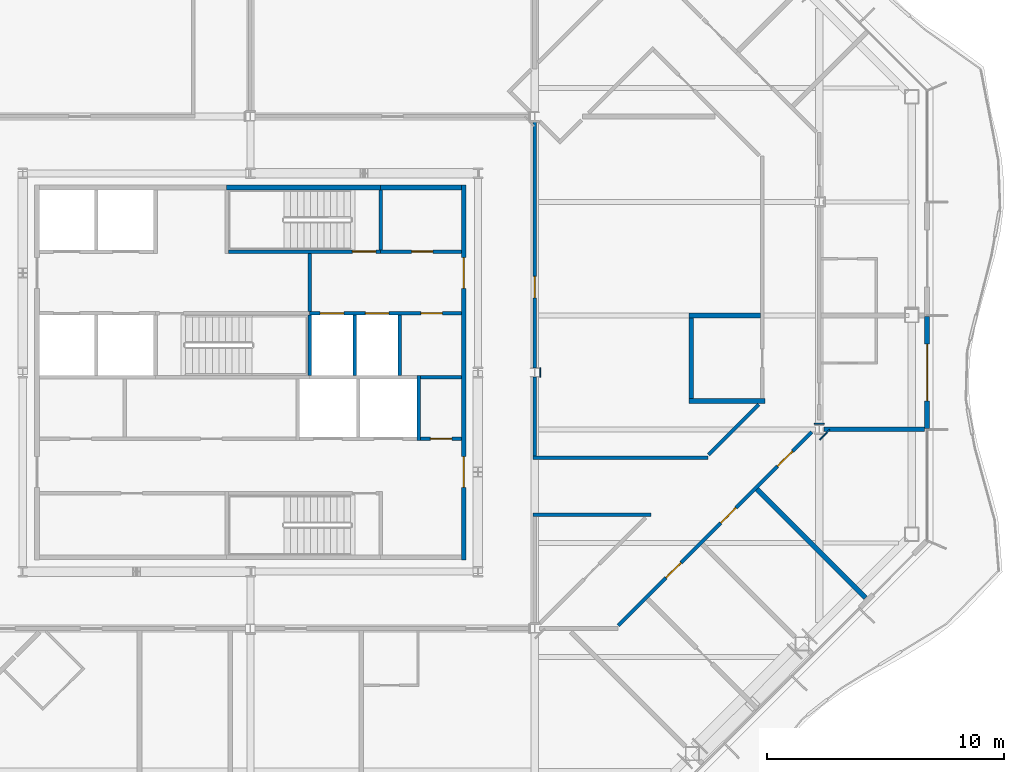
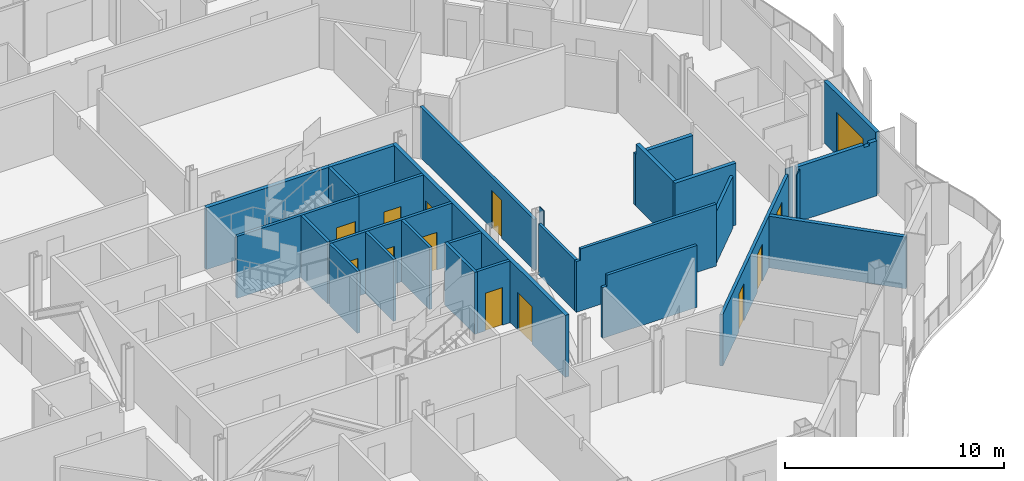
# One storey, part 10 of 21: 29 walls, 13 doors, 13 openings.
"""IFC4 building model written with IfcOpenShell, lengths in metres."""

from ifc_helpers import new_model, si_unit, direction, frame, frame_2d, origin, place, context, subcontext, project, spatial, polyline, rectangle, outline, extrude, material, layer, layer_set, type_object, element, fill, save


model = new_model("IFC4")

# Units and contexts
model_context = context("Model", 3, precision=1e-05, world=origin(), true_north=direction((0.0, 1.0)))
body_context = subcontext(model_context, "Body", "Model", "MODEL_VIEW")
ifc_project = project(units=[si_unit("LENGTHUNIT", "METRE"), si_unit("AREAUNIT", "SQUARE_METRE"), si_unit("VOLUMEUNIT", "CUBIC_METRE"), si_unit("PLANEANGLEUNIT", "RADIAN"), si_unit("MASSUNIT", "GRAM", prefix="KILO")], contexts=[model_context])

# Site, building, storey
site_placement = place(None, origin())
site = spatial("IfcSite", under=ifc_project, at=site_placement, CompositionType="ELEMENT")
building_placement = place(site_placement, origin())
building = spatial("IfcBuilding", under=site, at=building_placement, Name="Cairn Pilgrim Tower", CompositionType="ELEMENT")
storey_placement = place(building_placement, frame((0.0, 0.0, 168.60009765625)))
storey = spatial("IfcBuildingStorey", under=building, at=storey_placement, Name="L42", CompositionType="ELEMENT", Elevation=168.60009765625)

# Wall, opening, door
ifc_material_1 = material(Name="Bronze anodised aluminium insulated sandwich panel with mineral wool fill", Category="aluminium")
ifc_layer_1 = layer(ifc_material_1, 0.199951171875)
ifc_layer_set_1 = layer_set([ifc_layer_1], Name="BRONZE INFILL FRAME WALL 200")
wall_type_1 = type_object("IfcWallType", Name="BRONZE INFILL FRAME WALL 200", PredefinedType="NOTDEFINED", material=ifc_layer_set_1)
wall_1_placement = place(storey_placement, frame((35.75, 0.030029296875, 0.0), z_axis=(0.0, 0.0, 1.0), x_axis=(0.0, 1.0, 0.0)))
wall_1 = element("IfcWall", 1, at=wall_1_placement, inside=storey, type_object=wall_type_1, Name="Bronze infill frame wall IW-E2", PredefinedType="NOTDEFINED", context=body_context, shape_type="SweptSolid", body=[
    extrude(rectangle(XDim=4.739990234375, YDim=0.199951171875, at=frame_2d((2.3701171875, 0.0))), origin(), (0.0, 0.0, 1.0), 3.449951171875),
])
opening_1_placement = place(wall_1_placement, frame((1.169921875, 0.0, 0.0)))
opening_1 = element("IfcOpeningElement", 2, at=opening_1_placement, cuts=wall_1, Name="Opening 4207B", PredefinedType="OPENING", context=body_context, shape_type="SweptSolid", body=[
    extrude(rectangle(XDim=2.39990234375, YDim=2.39990234375, at=frame_2d((1.199951171875, 1.199951171875))), frame((0.0, 0.10986328125, 0.0), z_axis=(0.0, -1.0, 0.0), x_axis=(1.0, 0.0, 0.0)), (0.0, 0.0, 1.0), 0.219970703125),
])
ifc_material_2 = material(Name="Bronze anodised aluminium frame with tinted low-E glass", Category="aluminium")
door_type_1 = type_object("IfcDoorType", Name="BALCONY SLIDING DOOR 2400x2400", OperationType="DOUBLE_DOOR_SLIDING", PredefinedType="DOOR", material=ifc_material_2)
door_1_placement = place(opening_1_placement, origin())
door_1 = element("IfcDoor", 3, at=door_1_placement, inside=storey, type_object=door_type_1, Name="Balcony sliding door 4207B", OperationType="SINGLE_SWING_LEFT", OverallHeight=2.39990234375, OverallWidth=2.39990234375, PredefinedType="DOOR", context=body_context, shape_type="SweptSolid", body=[
    extrude(rectangle(XDim=2.39990234375, YDim=2.39990234375, at=frame_2d((1.199951171875, 1.199951171875))), frame((0.0, 0.02490234375, 0.0), z_axis=(0.0, -1.0, 0.0), x_axis=(1.0, 0.0, 0.0)), (0.0, 0.0, 1.0), 0.050048828125),
])
fill(opening_1, door_1)

# Wall
ifc_material_3 = material(Name="Concrete C32/40", Category="concrete")
ifc_layer_2 = layer(ifc_material_3, 0.199951171875)
ifc_layer_set_2 = layer_set([ifc_layer_2], Name="CORE OUTER WALL 200 EI 120")
wall_type_2 = type_object("IfcWallType", Name="CORE OUTER WALL 200 EI 120", PredefinedType="SOLIDWALL", material=ifc_layer_set_2)
wall_2_placement = place(storey_placement, frame((12.699951171875, 10.199951171875, 0.0), z_axis=(0.0, 0.0, 1.0), x_axis=(1.0, 0.0, 0.0)))
element("IfcWall", 4, at=wall_2_placement, inside=storey, type_object=wall_type_2, Name="CW:L42:H12-3", PredefinedType="SOLIDWALL", context=body_context, shape_type="SweptSolid", body=[
    extrude(rectangle(XDim=3.400146484375, YDim=0.199951171875, at=frame_2d((1.7001953125, 0.0))), origin(), (0.0, 0.0, 1.0), 3.449951171875),
])

# Wall, openings, doors
wall_3_placement = place(storey_placement, frame((16.199951171875, -5.5, 0.0), z_axis=(0.0, 0.0, 1.0), x_axis=(0.0, 1.0, 0.0)))
wall_3 = element("IfcWall", 5, at=wall_3_placement, inside=storey, type_object=wall_type_2, Name="CW:L42:V30", PredefinedType="SOLIDWALL", context=body_context, shape_type="SweptSolid", body=[
    extrude(rectangle(XDim=15.800048828125, YDim=0.199951171875, at=frame_2d((7.89990234375, 0.0))), origin(), (0.0, 0.0, 1.0), 3.449951171875),
])
opening_2_placement = place(wall_3_placement, frame((3.050048828125, 0.0, 0.0)))
opening_2 = element("IfcOpeningElement", 6, at=opening_2_placement, cuts=wall_3, Name="Opening CD-E1", PredefinedType="OPENING", context=body_context, shape_type="SweptSolid", body=[
    extrude(rectangle(XDim=1.300048828125, YDim=2.10009765625, at=frame_2d((0.64990234375, 1.050048828125))), frame((0.0, 0.10986328125, 0.0), z_axis=(0.0, -1.0, 0.0), x_axis=(1.0, 0.0, 0.0)), (0.0, 0.0, 1.0), 0.219970703125),
])
opening_3_placement = place(wall_3_placement, frame((11.449951171875, 0.0, 0.0)))
opening_3 = element("IfcOpeningElement", 7, at=opening_3_placement, cuts=wall_3, Name="Opening CD-E2", PredefinedType="OPENING", context=body_context, shape_type="SweptSolid", body=[
    extrude(rectangle(XDim=1.300048828125, YDim=2.10009765625, at=frame_2d((0.64990234375, 1.050048828125))), frame((0.0, 0.10986328125, 0.0), z_axis=(0.0, -1.0, 0.0), x_axis=(1.0, 0.0, 0.0)), (0.0, 0.0, 1.0), 0.219970703125),
])
ifc_material_4 = material(Name="Painted steel", Category="steel")
door_type_2 = type_object("IfcDoorType", Name="CORE LOBBY DOOR 1300x2100", OperationType="DOUBLE_DOOR_SINGLE_SWING", PredefinedType="DOOR", material=ifc_material_4)
door_2_placement = place(opening_2_placement, origin())
door_2 = element("IfcDoor", 8, at=door_2_placement, inside=storey, type_object=door_type_2, Name="CD-E1", OperationType="DOUBLE_DOOR_SINGLE_SWING", OverallHeight=2.10009765625, OverallWidth=1.300048828125, PredefinedType="DOOR", context=body_context, shape_type="SweptSolid", body=[
    extrude(rectangle(XDim=1.300048828125, YDim=2.10009765625, at=frame_2d((0.64990234375, 1.050048828125))), frame((0.0, 0.02490234375, 0.0), z_axis=(0.0, -1.0, 0.0), x_axis=(1.0, 0.0, 0.0)), (0.0, 0.0, 1.0), 0.050048828125),
])
fill(opening_2, door_2)
door_3_placement = place(opening_3_placement, origin())
door_3 = element("IfcDoor", 9, at=door_3_placement, inside=storey, type_object=door_type_2, Name="CD-E2", OperationType="DOUBLE_DOOR_SINGLE_SWING", OverallHeight=2.10009765625, OverallWidth=1.300048828125, PredefinedType="DOOR", context=body_context, shape_type="SweptSolid", body=[
    extrude(rectangle(XDim=1.300048828125, YDim=2.10009765625, at=frame_2d((0.64990234375, 1.050048828125))), frame((0.0, 0.02490234375, 0.0), z_axis=(0.0, -1.0, 0.0), x_axis=(1.0, 0.0, 0.0)), (0.0, 0.0, 1.0), 0.050048828125),
])
fill(opening_3, door_3)

# Wall, opening, door
ifc_layer_3 = layer(ifc_material_3, 0.14990234375)
ifc_layer_set_3 = layer_set([ifc_layer_3], Name="CORE PARTITION 150 EI 60")
wall_type_3 = type_object("IfcWallType", Name="CORE PARTITION 150 EI 60", PredefinedType="PARTITIONING", material=ifc_layer_set_3)
wall_4_placement = place(storey_placement, frame((14.375, -0.39990234375, 0.0), z_axis=(0.0, 0.0, 1.0), x_axis=(1.0, 0.0, 0.0)))
wall_4 = element("IfcWall", 10, at=wall_4_placement, inside=storey, type_object=wall_type_3, Name="CW:L42:H06", PredefinedType="PARTITIONING", context=body_context, shape_type="SweptSolid", body=[
    extrude(rectangle(XDim=1.72509765625, YDim=0.14990234375, at=frame_2d((0.862548828125, 0.0))), origin(), (0.0, 0.0, 1.0), 3.449951171875),
])
opening_4_placement = place(wall_4_placement, frame((0.425048828125, 0.0, 0.0)))
opening_4 = element("IfcOpeningElement", 11, at=opening_4_placement, cuts=wall_4, Name="Opening RD-R2E", PredefinedType="OPENING", context=body_context, shape_type="SweptSolid", body=[
    extrude(rectangle(XDim=0.89990234375, YDim=2.10009765625, at=frame_2d((0.449951171875, 1.050048828125))), frame((0.0, 0.0849609375, 0.0), z_axis=(0.0, -1.0, 0.0), x_axis=(1.0, 0.0, 0.0)), (0.0, 0.0, 1.0), 0.169921875),
])
door_type_3 = type_object("IfcDoorType", Name="SERVICE ROOM DOOR 900x2100", OperationType="SINGLE_SWING_LEFT", PredefinedType="DOOR", material=ifc_material_4)
door_4_placement = place(opening_4_placement, origin())
door_4 = element("IfcDoor", 12, at=door_4_placement, inside=storey, type_object=door_type_3, Name="RD-R2E", OperationType="SINGLE_SWING_RIGHT", OverallHeight=2.10009765625, OverallWidth=0.89990234375, PredefinedType="DOOR", context=body_context, shape_type="SweptSolid", body=[
    extrude(rectangle(XDim=0.89990234375, YDim=2.10009765625, at=frame_2d((0.449951171875, 1.050048828125))), frame((0.0, 0.02490234375, 0.0), z_axis=(0.0, -1.0, 0.0), x_axis=(1.0, 0.0, 0.0)), (0.0, 0.0, 1.0), 0.050048828125),
])
fill(opening_4, door_4)

# Wall
wall_5_placement = place(storey_placement, frame((14.375, 2.199951171875, 0.0), z_axis=(0.0, 0.0, 1.0), x_axis=(1.0, 0.0, 0.0)))
element("IfcWall", 13, at=wall_5_placement, inside=storey, type_object=wall_type_3, Name="CW:L42:H08", PredefinedType="PARTITIONING", context=body_context, shape_type="SweptSolid", body=[
    extrude(rectangle(XDim=1.72509765625, YDim=0.14990234375, at=frame_2d((0.862548828125, 0.0))), origin(), (0.0, 0.0, 1.0), 3.449951171875),
])

# Wall, openings, doors
ifc_layer_4 = layer(ifc_material_3, 0.14990234375)
ifc_layer_set_4 = layer_set([ifc_layer_4], Name="CORE SHAFT WALL 150 EI 120")
wall_type_4 = type_object("IfcWallType", Name="CORE SHAFT WALL 150 EI 120", PredefinedType="SOLIDWALL", material=ifc_layer_set_4)
wall_6_placement = place(storey_placement, frame((9.699951171875, 4.89990234375, 0.0), z_axis=(0.0, 0.0, 1.0), x_axis=(1.0, 0.0, 0.0)))
wall_6 = element("IfcWall", 14, at=wall_6_placement, inside=storey, type_object=wall_type_4, Name="CW:L42:H09-3", PredefinedType="SOLIDWALL", context=body_context, shape_type="SweptSolid", body=[
    extrude(rectangle(XDim=6.400146484375, YDim=0.14990234375, at=frame_2d((3.2001953125, 0.0))), origin(), (0.0, 0.0, 1.0), 3.449951171875),
])
opening_5_placement = place(wall_6_placement, frame((0.449951171875, 0.0, 0.0)))
opening_5 = element("IfcOpeningElement", 15, at=opening_5_placement, cuts=wall_6, Name="Opening LD-FF1", PredefinedType="OPENING", context=body_context, shape_type="SweptSolid", body=[
    extrude(rectangle(XDim=1.0, YDim=2.10009765625, at=frame_2d((0.5, 1.050048828125))), frame((0.0, 0.0849609375, 0.0), z_axis=(0.0, -1.0, 0.0), x_axis=(1.0, 0.0, 0.0)), (0.0, 0.0, 1.0), 0.169921875),
])
opening_6_placement = place(wall_6_placement, frame((2.35009765625, 0.0, 0.0)))
opening_6 = element("IfcOpeningElement", 16, at=opening_6_placement, cuts=wall_6, Name="Opening LD-FF2", PredefinedType="OPENING", context=body_context, shape_type="SweptSolid", body=[
    extrude(rectangle(XDim=1.0, YDim=2.10009765625, at=frame_2d((0.5, 1.050048828125))), frame((0.0, 0.0849609375, 0.0), z_axis=(0.0, -1.0, 0.0), x_axis=(1.0, 0.0, 0.0)), (0.0, 0.0, 1.0), 0.169921875),
])
opening_7_placement = place(wall_6_placement, frame((4.699951171875, 0.0, 0.0)))
opening_7 = element("IfcOpeningElement", 17, at=opening_7_placement, cuts=wall_6, Name="Opening RD-R3E", PredefinedType="OPENING", context=body_context, shape_type="SweptSolid", body=[
    extrude(rectangle(XDim=0.89990234375, YDim=2.10009765625, at=frame_2d((0.449951171875, 1.050048828125))), frame((0.0, 0.0849609375, 0.0), z_axis=(0.0, -1.0, 0.0), x_axis=(1.0, 0.0, 0.0)), (0.0, 0.0, 1.0), 0.169921875),
])
ifc_material_5 = material(Name="Stainless steel", Category="steel")
door_type_4 = type_object("IfcDoorType", Name="LIFT LANDING DOOR FIRE 1000x2100", OperationType="DOUBLE_DOOR_SLIDING", PredefinedType="DOOR", material=ifc_material_5)
door_5_placement = place(opening_5_placement, origin())
door_5 = element("IfcDoor", 18, at=door_5_placement, inside=storey, type_object=door_type_4, Name="LANDING DOOR FF1", OperationType="DOUBLE_DOOR_SLIDING", OverallHeight=2.10009765625, OverallWidth=1.0, PredefinedType="DOOR", context=body_context, shape_type="SweptSolid", body=[
    extrude(rectangle(XDim=1.0, YDim=2.10009765625, at=frame_2d((0.5, 1.050048828125))), frame((0.0, 0.02490234375, 0.0), z_axis=(0.0, -1.0, 0.0), x_axis=(1.0, 0.0, 0.0)), (0.0, 0.0, 1.0), 0.050048828125),
])
fill(opening_5, door_5)
door_6_placement = place(opening_6_placement, origin())
door_6 = element("IfcDoor", 19, at=door_6_placement, inside=storey, type_object=door_type_4, Name="LANDING DOOR FF2", OperationType="DOUBLE_DOOR_SLIDING", OverallHeight=2.10009765625, OverallWidth=1.0, PredefinedType="DOOR", context=body_context, shape_type="SweptSolid", body=[
    extrude(rectangle(XDim=1.0, YDim=2.10009765625, at=frame_2d((0.5, 1.050048828125))), frame((0.0, 0.02490234375, 0.0), z_axis=(0.0, -1.0, 0.0), x_axis=(1.0, 0.0, 0.0)), (0.0, 0.0, 1.0), 0.050048828125),
])
fill(opening_6, door_6)
door_7_placement = place(opening_7_placement, origin())
door_7 = element("IfcDoor", 20, at=door_7_placement, inside=storey, type_object=door_type_3, Name="RD-R3E", OperationType="SINGLE_SWING_LEFT", OverallHeight=2.10009765625, OverallWidth=0.89990234375, PredefinedType="DOOR", context=body_context, shape_type="SweptSolid", body=[
    extrude(rectangle(XDim=0.89990234375, YDim=2.10009765625, at=frame_2d((0.449951171875, 1.050048828125))), frame((0.0, 0.02490234375, 0.0), z_axis=(0.0, -1.0, 0.0), x_axis=(1.0, 0.0, 0.0)), (0.0, 0.0, 1.0), 0.050048828125),
])
fill(opening_7, door_7)

# Wall, opening, door
wall_7_placement = place(storey_placement, frame((12.699951171875, 7.5, 0.0), z_axis=(0.0, 0.0, 1.0), x_axis=(1.0, 0.0, 0.0)))
wall_7 = element("IfcWall", 21, at=wall_7_placement, inside=storey, type_object=wall_type_4, Name="CW:L42:H11-2", PredefinedType="SOLIDWALL", context=body_context, shape_type="SweptSolid", body=[
    extrude(rectangle(XDim=3.400146484375, YDim=0.14990234375, at=frame_2d((1.7001953125, 0.0))), origin(), (0.0, 0.0, 1.0), 3.449951171875),
])
opening_8_placement = place(wall_7_placement, frame((1.300048828125, 0.0, 0.0)))
opening_8 = element("IfcOpeningElement", 22, at=opening_8_placement, cuts=wall_7, Name="Opening RD-R4E", PredefinedType="OPENING", context=body_context, shape_type="SweptSolid", body=[
    extrude(rectangle(XDim=0.89990234375, YDim=2.10009765625, at=frame_2d((0.449951171875, 1.050048828125))), frame((0.0, 0.0849609375, 0.0), z_axis=(0.0, -1.0, 0.0), x_axis=(1.0, 0.0, 0.0)), (0.0, 0.0, 1.0), 0.169921875),
])
door_8_placement = place(opening_8_placement, origin())
door_8 = element("IfcDoor", 23, at=door_8_placement, inside=storey, type_object=door_type_3, Name="RD-R4E", OperationType="SINGLE_SWING_RIGHT", OverallHeight=2.10009765625, OverallWidth=0.89990234375, PredefinedType="DOOR", context=body_context, shape_type="SweptSolid", body=[
    extrude(rectangle(XDim=0.89990234375, YDim=2.10009765625, at=frame_2d((0.449951171875, 1.050048828125))), frame((0.0, 0.02490234375, 0.0), z_axis=(0.0, -1.0, 0.0), x_axis=(1.0, 0.0, 0.0)), (0.0, 0.0, 1.0), 0.050048828125),
])
fill(opening_8, door_8)

# Walls
wall_8_placement = place(storey_placement, frame((9.699951171875, 4.97509765625, 0.0), z_axis=(0.0, 0.0, 1.0), x_axis=(0.0, 1.0, 0.0)))
element("IfcWall", 24, at=wall_8_placement, inside=storey, type_object=wall_type_4, Name="CW:L42:V23", PredefinedType="SOLIDWALL", context=body_context, shape_type="SweptSolid", body=[
    extrude(rectangle(XDim=2.449951171875, YDim=0.14990234375, at=frame_2d((1.22509765625, 0.0))), origin(), (0.0, 0.0, 1.0), 3.449951171875),
])
for number, where, z_axis, x_axis, name in (
    (25, (11.60009765625, 2.27490234375, 0.0), (0.0, 0.0, 1.0), (0.0, 1.0, 0.0), "CW:L42:V24"),
    (26, (13.5, 2.27490234375, 0.0), (0.0, 0.0, 1.0), (0.0, 1.0, 0.0), "CW:L42:V28"),
):
    element("IfcWall", number, at=place(storey_placement, frame(where, z_axis=z_axis, x_axis=x_axis)), inside=storey, type_object=wall_type_4, Name=name, PredefinedType="SOLIDWALL", context=body_context, shape_type="SweptSolid", body=[
        extrude(rectangle(XDim=2.550048828125, YDim=0.14990234375, at=frame_2d((1.27490234375, 0.0))), origin(), (0.0, 0.0, 1.0), 3.449951171875),
    ])
wall_9_placement = place(storey_placement, frame((14.300048828125, -0.47509765625, 0.0), z_axis=(0.0, 0.0, 1.0), x_axis=(0.0, 1.0, 0.0)))
element("IfcWall", 27, at=wall_9_placement, inside=storey, type_object=wall_type_4, Name="CW:L42:V29", PredefinedType="SOLIDWALL", context=body_context, shape_type="SweptSolid", body=[
    extrude(rectangle(XDim=2.75, YDim=0.14990234375, at=frame_2d((1.375, 0.0))), origin(), (0.0, 0.0, 1.0), 3.449951171875),
])

# Wall, openings, doors
ifc_material_6 = material(Name="Gypsum partition")
ifc_layer_5 = layer(ifc_material_6, 0.14990234375)
ifc_layer_set_5 = layer_set([ifc_layer_5], Name="PARTITION 150 DRYWALL EI 60")
wall_type_5 = type_object("IfcWallType", Name="PARTITION 150 DRYWALL EI 60", PredefinedType="PARTITIONING", material=ifc_layer_set_5)
wall_10_placement = place(storey_placement, frame((22.721923828125, -8.27197265625, 0.0), z_axis=(0.0, 0.0, 1.0), x_axis=(0.707106781187, 0.707106781187, 0.0)))
wall_10 = element("IfcWall", 28, at=wall_10_placement, inside=storey, type_object=wall_type_5, Name="PARTITION W027", PredefinedType="PARTITIONING", context=body_context, shape_type="SweptSolid", body=[
    extrude(rectangle(XDim=11.549072265625, YDim=0.14990234375, at=frame_2d((5.7744140625, 0.0))), origin(), (0.0, 0.0, 1.0), 2.8798828125),
])
opening_9_placement = place(wall_10_placement, frame((2.846435546875, 0.0, 0.0)))
opening_9 = element("IfcOpeningElement", 29, at=opening_9_placement, cuts=wall_10, Name="Opening 4204", PredefinedType="OPENING", context=body_context, shape_type="SweptSolid", body=[
    extrude(rectangle(XDim=0.89990234375, YDim=2.10009765625, at=frame_2d((0.449951171875, 1.050048828125))), frame((0.0, 0.0849609375, 0.0), z_axis=(0.0, -1.0, 0.0), x_axis=(1.0, 0.0, 0.0)), (0.0, 0.0, 1.0), 0.169921875),
])
opening_10_placement = place(wall_10_placement, frame((6.115966796875, 0.0, 0.0)))
opening_10 = element("IfcOpeningElement", 30, at=opening_10_placement, cuts=wall_10, Name="Opening 4205", PredefinedType="OPENING", context=body_context, shape_type="SweptSolid", body=[
    extrude(rectangle(XDim=0.89990234375, YDim=2.10009765625, at=frame_2d((0.449951171875, 1.050048828125))), frame((0.0, 0.0849609375, 0.0), z_axis=(0.0, -1.0, 0.0), x_axis=(1.0, 0.0, 0.0)), (0.0, 0.0, 1.0), 0.169921875),
])
opening_11_placement = place(wall_10_placement, frame((9.499267578125, 0.0, 0.0)))
opening_11 = element("IfcOpeningElement", 31, at=opening_11_placement, cuts=wall_10, Name="Opening 4206", PredefinedType="OPENING", context=body_context, shape_type="SweptSolid", body=[
    extrude(rectangle(XDim=0.89990234375, YDim=2.10009765625, at=frame_2d((0.449951171875, 1.050048828125))), frame((0.0, 0.0849609375, 0.0), z_axis=(0.0, -1.0, 0.0), x_axis=(1.0, 0.0, 0.0)), (0.0, 0.0, 1.0), 0.169921875),
])
ifc_material_7 = material(Name="Timber door leaf", Category="wood")
door_type_5 = type_object("IfcDoorType", Name="ROOM DOOR 900x2100 FD30S", OperationType="NOTDEFINED", PredefinedType="DOOR", material=ifc_material_7)
door_9_placement = place(opening_10_placement, frame((0.89990234375, 0.0, 0.0), z_axis=(0.0, 0.0, 1.0), x_axis=(-1.0, 0.0, 0.0)))
door_9 = element("IfcDoor", 32, at=door_9_placement, inside=storey, type_object=door_type_5, Name="DOOR 4205", OperationType="SINGLE_SWING_RIGHT", OverallHeight=2.10009765625, OverallWidth=0.89990234375, PredefinedType="DOOR", context=body_context, shape_type="SweptSolid", body=[
    extrude(rectangle(XDim=0.89990234375, YDim=2.10009765625, at=frame_2d((0.449951171875, 1.050048828125))), frame((0.0, 0.02490234375, 0.0), z_axis=(0.0, -1.0, 0.0), x_axis=(1.0, 0.0, 0.0)), (0.0, 0.0, 1.0), 0.050048828125),
])
fill(opening_10, door_9)
door_10_placement = place(opening_11_placement, frame((0.89990234375, 0.0, 0.0), z_axis=(0.0, 0.0, 1.0), x_axis=(-1.0, 0.0, 0.0)))
door_10 = element("IfcDoor", 33, at=door_10_placement, inside=storey, type_object=door_type_5, Name="DOOR 4206", OperationType="SINGLE_SWING_RIGHT", OverallHeight=2.10009765625, OverallWidth=0.89990234375, PredefinedType="DOOR", context=body_context, shape_type="SweptSolid", body=[
    extrude(rectangle(XDim=0.89990234375, YDim=2.10009765625, at=frame_2d((0.449951171875, 1.050048828125))), frame((0.0, 0.02490234375, 0.0), z_axis=(0.0, -1.0, 0.0), x_axis=(1.0, 0.0, 0.0)), (0.0, 0.0, 1.0), 0.050048828125),
])
fill(opening_11, door_10)
door_type_6 = type_object("IfcDoorType", Name="SERVICE DOOR 900x2100 FD30S", OperationType="NOTDEFINED", PredefinedType="DOOR", material=ifc_material_7)
door_11_placement = place(opening_9_placement, frame((0.89990234375, 0.0, 0.0), z_axis=(0.0, 0.0, 1.0), x_axis=(-1.0, 0.0, 0.0)))
door_11 = element("IfcDoor", 34, at=door_11_placement, inside=storey, type_object=door_type_6, Name="DOOR 4204", OperationType="SINGLE_SWING_RIGHT", OverallHeight=2.10009765625, OverallWidth=0.89990234375, PredefinedType="DOOR", context=body_context, shape_type="SweptSolid", body=[
    extrude(rectangle(XDim=0.89990234375, YDim=2.10009765625, at=frame_2d((0.449951171875, 1.050048828125))), frame((0.0, 0.02490234375, 0.0), z_axis=(0.0, -1.0, 0.0), x_axis=(1.0, 0.0, 0.0)), (0.0, 0.0, 1.0), 0.050048828125),
])
fill(opening_9, door_11)

# Walls
wall_11_placement = place(storey_placement, frame((19.125, -3.60009765625, 0.0), z_axis=(0.0, 0.0, 1.0), x_axis=(1.0, 0.0, 0.0)))
element("IfcWall", 35, at=wall_11_placement, inside=storey, type_object=wall_type_5, Name="PARTITION W035", PredefinedType="PARTITIONING", context=body_context, shape_type="SweptSolid", body=[
    extrude(outline(polyline([(0.0, 0.0), (4.981201171875, 0.0), (4.981201171875, 3.449951171875), (0.22509765625, 3.449951171875), (0.222900390625, 2.829833984375), (0.0, 2.829833984375), (0.0, 0.0)])), frame((0.0, 0.074951171875, 0.0), z_axis=(0.0, -1.0, 0.0), x_axis=(1.0, 0.0, 0.0)), (0.0, 0.0, 1.0), 0.14990234375),
])
wall_12_placement = place(storey_placement, frame((19.125, -1.199951171875, 0.0), z_axis=(0.0, 0.0, 1.0), x_axis=(1.0, 0.0, 0.0)))
element("IfcWall", 36, at=wall_12_placement, inside=storey, type_object=wall_type_5, Name="PARTITION W037", PredefinedType="PARTITIONING", context=body_context, shape_type="SweptSolid", body=[
    extrude(outline(polyline([(0.0, 0.0), (7.381103515625, 0.0), (7.381103515625, 3.449951171875), (0.22509765625, 3.449951171875), (0.222900390625, 2.829833984375), (0.0, 2.829833984375), (0.0, 0.0)])), frame((0.0, 0.074951171875, 0.0), z_axis=(0.0, -1.0, 0.0), x_axis=(1.0, 0.0, 0.0)), (0.0, 0.0, 1.0), 0.14990234375),
])
wall_13_placement = place(storey_placement, frame((19.199951171875, -1.125, 0.0), z_axis=(0.0, 0.0, 1.0), x_axis=(0.0, 1.0, 0.0)))
element("IfcWall", 37, at=wall_13_placement, inside=storey, type_object=wall_type_5, Name="PARTITION W041", PredefinedType="PARTITIONING", context=body_context, shape_type="SweptSolid", body=[
    extrude(rectangle(XDim=3.32861328125, YDim=0.14990234375, at=frame_2d((1.664306640625, 0.0))), origin(), (0.0, 0.0, 1.0), 2.829833984375),
])
wall_14_placement = place(storey_placement, frame((26.528076171875, -1.072021484375, 0.0), z_axis=(0.0, 0.0, 1.0), x_axis=(0.707106781187, 0.707106781187, 0.0)))
element("IfcWall", 38, at=wall_14_placement, inside=storey, type_object=wall_type_5, Name="PARTITION W042", PredefinedType="PARTITIONING", context=body_context, shape_type="SweptSolid", body=[
    extrude(rectangle(XDim=2.99658203125, YDim=0.14990234375, at=frame_2d((1.498291015625, 0.0))), origin(), (0.0, 0.0, 1.0), 2.8798828125),
])

# Wall, opening, door
wall_15_placement = place(storey_placement, frame((19.199951171875, 2.596435546875, 0.0), z_axis=(0.0, 0.0, 1.0), x_axis=(0.0, 1.0, 0.0)))
wall_15 = element("IfcWall", 39, at=wall_15_placement, inside=storey, type_object=wall_type_5, Name="PARTITION W055", PredefinedType="PARTITIONING", context=body_context, shape_type="SweptSolid", body=[
    extrude(rectangle(XDim=10.406982421875, YDim=0.14990234375, at=frame_2d((5.20361328125, 0.0))), origin(), (0.0, 0.0, 1.0), 2.829833984375),
])
opening_12_placement = place(wall_15_placement, frame((2.95361328125, 0.0, 0.0)))
opening_12 = element("IfcOpeningElement", 40, at=opening_12_placement, cuts=wall_15, Name="Opening 4228", PredefinedType="OPENING", context=body_context, shape_type="SweptSolid", body=[
    extrude(rectangle(XDim=0.89990234375, YDim=2.10009765625, at=frame_2d((0.449951171875, 1.050048828125))), frame((0.0, 0.0849609375, 0.0), z_axis=(0.0, -1.0, 0.0), x_axis=(1.0, 0.0, 0.0)), (0.0, 0.0, 1.0), 0.169921875),
])
door_12_placement = place(opening_12_placement, frame((0.89990234375, 0.0, 0.0), z_axis=(0.0, 0.0, 1.0), x_axis=(-1.0, 0.0, 0.0)))
door_12 = element("IfcDoor", 41, at=door_12_placement, inside=storey, type_object=door_type_6, Name="DOOR 4228", OperationType="SINGLE_SWING_RIGHT", OverallHeight=2.10009765625, OverallWidth=0.89990234375, PredefinedType="DOOR", context=body_context, shape_type="SweptSolid", body=[
    extrude(rectangle(XDim=0.89990234375, YDim=2.10009765625, at=frame_2d((0.449951171875, 1.050048828125))), frame((0.0, 0.02490234375, 0.0), z_axis=(0.0, -1.0, 0.0), x_axis=(1.0, 0.0, 0.0)), (0.0, 0.0, 1.0), 0.050048828125),
])
fill(opening_12, door_12)

# Walls
ifc_layer_6 = layer(ifc_material_6, 0.050048828125)
ifc_layer_set_6 = layer_set([ifc_layer_6], Name="PARTITION 50 DRYWALL EI 60")
wall_type_6 = type_object("IfcWallType", Name="PARTITION 50 DRYWALL EI 60", PredefinedType="PARTITIONING", material=ifc_layer_set_6)
wall_16_placement = place(storey_placement, frame((31.2177734375, -0.434814453125, 0.0), z_axis=(0.0, 0.0, 1.0), x_axis=(0.706899813022, 0.70731368879, 0.0)))
element("IfcWall", 42, at=wall_16_placement, inside=storey, type_object=wall_type_6, Name="COLUMN CASING WC17", PredefinedType="PARTITIONING", context=body_context, shape_type="SweptSolid", body=[
    extrude(rectangle(XDim=0.58984375, YDim=0.050048828125, at=frame_2d((0.294921875, 0.0))), origin(), (0.0, 0.0, 1.0), 2.929931640625),
])
wall_17_placement = place(storey_placement, frame((19.424560546875, 2.20361328125, 0.0), z_axis=(0.0, 0.0, 1.0), x_axis=(0.0, 1.0, 0.0)))
element("IfcWall", 43, at=wall_17_placement, inside=storey, type_object=wall_type_6, Name="COLUMN CASING WC20", PredefinedType="PARTITIONING", context=body_context, shape_type="SweptSolid", body=[
    extrude(rectangle(XDim=0.392822265625, YDim=0.050048828125, at=frame_2d((0.1962890625, 0.0))), origin(), (0.0, 0.0, 1.0), 3.449951171875),
])
wall_18_placement = place(storey_placement, frame((30.99560546875, 0.237548828125, 0.0), z_axis=(0.0, 0.0, 1.0), x_axis=(1.0, 0.0, 0.0)))
element("IfcWall", 44, at=wall_18_placement, inside=storey, type_object=wall_type_6, Name="COLUMN CASING WC22", PredefinedType="PARTITIONING", context=body_context, shape_type="SweptSolid", body=[
    extrude(rectangle(XDim=0.408935546875, YDim=0.050048828125, at=frame_2d((0.20458984375, 0.0))), origin(), (0.0, 0.0, 1.0), 2.929931640625),
])
ifc_layer_7 = layer(ifc_material_6, 0.199951171875)
ifc_layer_set_7 = layer_set([ifc_layer_7], Name="SHAFT WALL 200 GYPSUM EI 60")
wall_type_7 = type_object("IfcWallType", Name="SHAFT WALL 200 GYPSUM EI 60", PredefinedType="PARTITIONING", material=ifc_layer_set_7)
wall_19_placement = place(storey_placement, frame((33.1552734375, -7.107421875, 0.0), z_axis=(0.0, 0.0, 1.0), x_axis=(-0.70708794033, 0.707125621541, 0.0)))
element("IfcWall", 45, at=wall_19_placement, inside=storey, type_object=wall_type_7, Name="PARTITION W033", PredefinedType="PARTITIONING", context=body_context, shape_type="SweptSolid", body=[
    extrude(rectangle(XDim=6.47900390625, YDim=0.199951171875, at=frame_2d((3.239501953125, 0.0))), origin(), (0.0, 0.0, 1.0), 2.8798828125),
])
wall_20_placement = place(storey_placement, frame((31.404541015625, 0.0, 0.0), z_axis=(0.0, 0.0, 1.0), x_axis=(1.0, 0.0, 0.0)))
element("IfcWall", 46, at=wall_20_placement, inside=storey, type_object=wall_type_7, Name="PARTITION W043", PredefinedType="PARTITIONING", context=body_context, shape_type="SweptSolid", body=[
    extrude(outline(polyline([(0.0, 0.0), (4.245361328125, 0.0), (4.24560546875, 3.06982421875), (3.845458984375, 3.06982421875), (3.843505859375, 2.929931640625), (3.54541015625, 2.929931640625), (3.54345703125, 3.06982421875), (0.0, 3.06982421875), (0.0, 0.0)])), frame((0.0, 0.10009765625, 0.0), z_axis=(0.0, -1.0, 0.0), x_axis=(1.0, 0.0, 0.0)), (0.0, 0.0, 1.0), 0.199951171875),
])
wall_21_placement = place(storey_placement, frame((25.699951171875, 1.199951171875, 0.0), z_axis=(0.0, 0.0, 1.0), x_axis=(1.0, 0.0, 0.0)))
element("IfcWall", 47, at=wall_21_placement, inside=storey, type_object=wall_type_7, Name="PARTITION W049", PredefinedType="PARTITIONING", context=body_context, shape_type="SweptSolid", body=[
    extrude(rectangle(XDim=3.216552734375, YDim=0.199951171875, at=frame_2d((1.6083984375, 0.0))), origin(), (0.0, 0.0, 1.0), 3.449951171875),
])
wall_22_placement = place(storey_placement, frame((25.800048828125, 1.300048828125, 0.0), z_axis=(0.0, 0.0, 1.0), x_axis=(0.0, 1.0, 0.0)))
element("IfcWall", 48, at=wall_22_placement, inside=storey, type_object=wall_type_7, Name="PARTITION W050", PredefinedType="PARTITIONING", context=body_context, shape_type="SweptSolid", body=[
    extrude(outline(polyline([(0.0, 0.0), (3.39990234375, 0.0), (3.39990234375, 2.8798828125), (3.39501953125, 2.8798828125), (3.39306640625, 3.449951171875), (0.0, 3.449951171875), (0.0, 0.0)])), frame((0.0, 0.10009765625, 0.0), z_axis=(0.0, -1.0, 0.0), x_axis=(1.0, 0.0, 0.0)), (0.0, 0.0, 1.0), 0.199951171875),
])
wall_23_placement = place(storey_placement, frame((25.699951171875, 4.800048828125, 0.0), z_axis=(0.0, 0.0, 1.0), x_axis=(1.0, 0.0, 0.0)))
element("IfcWall", 49, at=wall_23_placement, inside=storey, type_object=wall_type_7, Name="PARTITION W060", PredefinedType="PARTITIONING", context=body_context, shape_type="SweptSolid", body=[
    extrude(rectangle(XDim=3.025146484375, YDim=0.199951171875, at=frame_2d((1.5126953125, 0.0))), origin(), (0.0, 0.0, 1.0), 2.8798828125),
])

# Wall, opening, door
ifc_material_8 = material(Name="Concrete C35/45", Category="concrete")
ifc_layer_8 = layer(ifc_material_8, 0.14990234375)
ifc_layer_set_8 = layer_set([ifc_layer_8], Name="STAIR SHAFT WALL 150 EI 120")
wall_type_8 = type_object("IfcWallType", Name="STAIR SHAFT WALL 150 EI 120", PredefinedType="SOLIDWALL", material=ifc_layer_set_8)
wall_24_placement = place(storey_placement, frame((6.27490234375, 7.5, 0.0), z_axis=(0.0, 0.0, 1.0), x_axis=(1.0, 0.0, 0.0)))
wall_24 = element("IfcWall", 50, at=wall_24_placement, inside=storey, type_object=wall_type_8, Name="CW:L42:H11-1", PredefinedType="SOLIDWALL", context=body_context, shape_type="SweptSolid", body=[
    extrude(rectangle(XDim=6.425048828125, YDim=0.14990234375, at=frame_2d((3.21240234375, 0.0))), origin(), (0.0, 0.0, 1.0), 3.449951171875),
])
opening_13_placement = place(wall_24_placement, frame((5.22509765625, 0.0, 0.0)))
opening_13 = element("IfcOpeningElement", 51, at=opening_13_placement, cuts=wall_24, Name="Opening SD-C", PredefinedType="OPENING", context=body_context, shape_type="SweptSolid", body=[
    extrude(rectangle(XDim=1.0, YDim=2.10009765625, at=frame_2d((0.5, 1.050048828125))), frame((0.0, 0.0849609375, 0.0), z_axis=(0.0, -1.0, 0.0), x_axis=(1.0, 0.0, 0.0)), (0.0, 0.0, 1.0), 0.169921875),
])
door_type_7 = type_object("IfcDoorType", Name="STAIR DOOR FD60S 1000x2100", OperationType="SINGLE_SWING_LEFT", PredefinedType="DOOR", material=ifc_material_4)
door_13_placement = place(opening_13_placement, origin())
door_13 = element("IfcDoor", 52, at=door_13_placement, inside=storey, type_object=door_type_7, Name="SD-C", OperationType="SINGLE_SWING_LEFT", OverallHeight=2.10009765625, OverallWidth=1.0, PredefinedType="DOOR", context=body_context, shape_type="SweptSolid", body=[
    extrude(rectangle(XDim=1.0, YDim=2.10009765625, at=frame_2d((0.5, 1.050048828125))), frame((0.0, 0.02490234375, 0.0), z_axis=(0.0, -1.0, 0.0), x_axis=(1.0, 0.0, 0.0)), (0.0, 0.0, 1.0), 0.050048828125),
])
fill(opening_13, door_13)

# Walls
wall_25_placement = place(storey_placement, frame((9.699951171875, 2.27490234375, 0.0), z_axis=(0.0, 0.0, 1.0), x_axis=(0.0, 1.0, 0.0)))
element("IfcWall", 53, at=wall_25_placement, inside=storey, type_object=wall_type_8, Name="CW:L42:V22", PredefinedType="SOLIDWALL", context=body_context, shape_type="SweptSolid", body=[
    extrude(rectangle(XDim=2.550048828125, YDim=0.14990234375, at=frame_2d((1.27490234375, 0.0))), origin(), (0.0, 0.0, 1.0), 3.449951171875),
])
wall_26_placement = place(storey_placement, frame((12.699951171875, 7.574951171875, 0.0), z_axis=(0.0, 0.0, 1.0), x_axis=(0.0, 1.0, 0.0)))
element("IfcWall", 54, at=wall_26_placement, inside=storey, type_object=wall_type_8, Name="CW:L42:V27", PredefinedType="SOLIDWALL", context=body_context, shape_type="SweptSolid", body=[
    extrude(rectangle(XDim=2.525146484375, YDim=0.14990234375, at=frame_2d((1.2626953125, 0.0))), origin(), (0.0, 0.0, 1.0), 3.449951171875),
])
ifc_layer_9 = layer(ifc_material_8, 0.199951171875)
ifc_layer_set_9 = layer_set([ifc_layer_9], Name="STAIR SHAFT WALL 200 EI 120")
wall_type_9 = type_object("IfcWallType", Name="STAIR SHAFT WALL 200 EI 120", PredefinedType="SOLIDWALL", material=ifc_layer_set_9)
wall_27_placement = place(storey_placement, frame((6.199951171875, 10.199951171875, 0.0), z_axis=(0.0, 0.0, 1.0), x_axis=(1.0, 0.0, 0.0)))
element("IfcWall", 55, at=wall_27_placement, inside=storey, type_object=wall_type_9, Name="CW:L42:H12-2", PredefinedType="SOLIDWALL", context=body_context, shape_type="SweptSolid", body=[
    extrude(rectangle(XDim=6.5, YDim=0.199951171875, at=frame_2d((3.25, 0.0))), origin(), (0.0, 0.0, 1.0), 3.449951171875),
])

save(model, "model.ifc")
